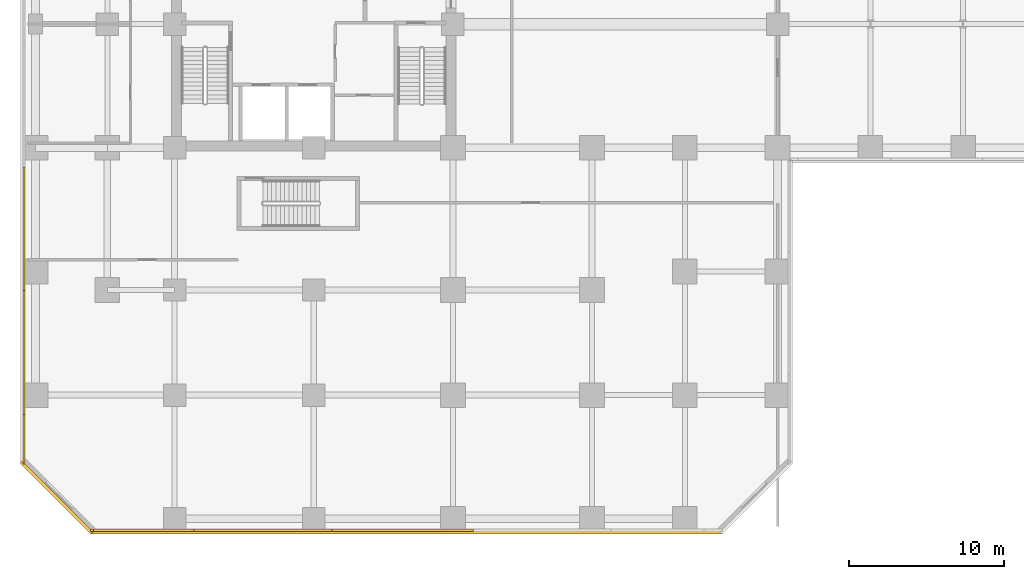
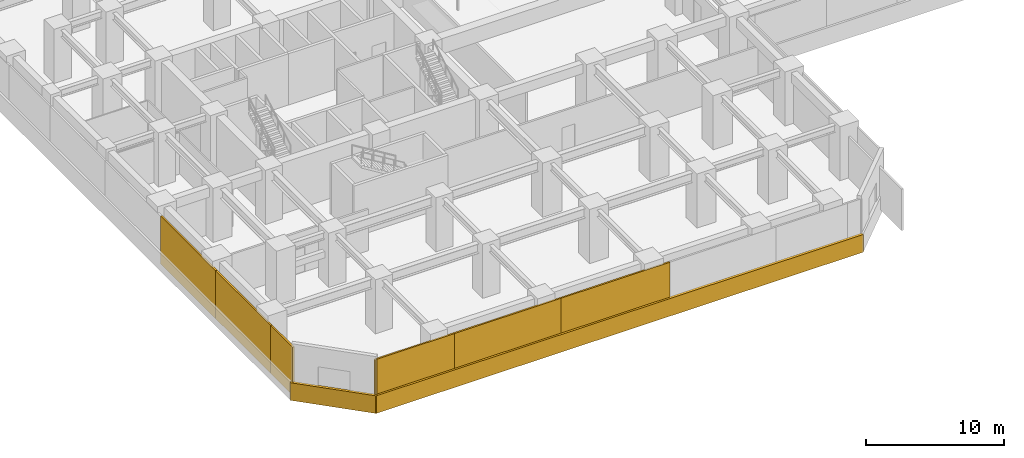
# One storey, part 6 of 12: 9 coverings.
"""IFC4 building model written with IfcOpenShell, lengths in metres."""

from ifc_helpers import new_model, si_unit, direction, frame, origin, origin_2d, place, context, subcontext, project, spatial, rectangle, extrude, source, transform, mapped, material, layer, layer_set, type_object, element, save


model = new_model("IFC4")

# Units and contexts
model_context = context("Model", 3, precision=1e-05, world=origin(), true_north=direction((0.0, 1.0)))
body_context = subcontext(model_context, "Body", "Model", "MODEL_VIEW")
ifc_project = project(units=[si_unit("LENGTHUNIT", "METRE"), si_unit("AREAUNIT", "SQUARE_METRE"), si_unit("VOLUMEUNIT", "CUBIC_METRE"), si_unit("PLANEANGLEUNIT", "RADIAN"), si_unit("MASSUNIT", "GRAM", prefix="KILO")], contexts=[model_context])

# Site, building, storey
site_placement = place(None, origin())
site = spatial("IfcSite", under=ifc_project, at=site_placement, CompositionType="ELEMENT")
building_placement = place(site_placement, origin())
building = spatial("IfcBuilding", under=site, at=building_placement, Name="Torre Montelarca", CompositionType="ELEMENT")
storey_placement = place(building_placement, frame((0.0, 0.0, 17.39990234375)))
storey = spatial("IfcBuildingStorey", under=building, at=storey_placement, Name="L04", CompositionType="ELEMENT", Elevation=17.39990234375)

# Coverings
ifc_material = material(Name="Bush-hammered warm white precast concrete C45/55", Category="concrete")
ifc_layer = layer(ifc_material, 0.139892578125, Name="Bush-hammered warm white precast concrete C45/55", Category="concrete")
ifc_layer_set = layer_set([ifc_layer], Name="Bush-hammered warm white precast concrete C45/55")
covering_type = type_object("IfcCoveringType", Name="COV-TRAY-CLAD", PredefinedType="CLADDING", material=ifc_layer_set)
shared_shape_1 = source(origin(), body_context, "Body", "SweptSolid", [
    extrude(rectangle(XDim=40.919921875, YDim=0.219970703125, at=origin_2d()), origin(), (0.0, 0.0, 1.0), 1.56005859375),
])
covering_1_placement = place(storey_placement, frame((24.0, -0.8701171875, -0.39990234375), z_axis=(0.0, 0.0, 1.0), x_axis=(1.0, 0.0, 0.0)))
element("IfcCovering", 1, at=covering_1_placement, inside=storey, type_object=covering_type, Name="L04 Architectural White Spandrel Tray Band PODBOT-01", PredefinedType="CLADDING", context=body_context, shape_type="MappedRepresentation", body=[
    mapped(shared_shape_1, transform((0.0, 0.0, 0.0), scale=1.0)),
])
shared_shape_2 = source(origin(), body_context, "Body", "SweptSolid", [
    extrude(rectangle(XDim=6.48388671875, YDim=0.219970703125, at=origin_2d()), origin(), (0.0, 0.0, 1.0), 1.56005859375),
])
covering_2_placement = place(storey_placement, frame((1.37109375, 1.37109375, -0.39990234375), z_axis=(0.0, 0.0, 1.0), x_axis=(0.707106781187, -0.707106781187, 0.0)))
element("IfcCovering", 2, at=covering_2_placement, inside=storey, type_object=covering_type, Name="L04 Architectural White Spandrel Tray Band PODBOT-11", PredefinedType="CLADDING", context=body_context, shape_type="MappedRepresentation", body=[
    mapped(shared_shape_2, transform((0.0, 0.0, 0.0), scale=1.0)),
])
shared_shape_3 = source(origin(), body_context, "Body", "SweptSolid", [
    extrude(rectangle(XDim=0.179931640625, YDim=0.139892578125, at=origin_2d()), origin(), (0.0, 0.0, 1.0), 4.25),
])
covering_3_placement = place(storey_placement, frame((3.64990234375, -0.739990234375, 0.0), z_axis=(0.0, 0.0, 1.0), x_axis=(1.0, 0.0, 0.0)))
element("IfcCovering", 3, at=covering_3_placement, inside=storey, type_object=covering_type, Name="L04 Architectural Column Pier Cladding E01-1", PredefinedType="CLADDING", context=body_context, shape_type="MappedRepresentation", body=[
    mapped(shared_shape_3, transform((0.0, 0.0, 0.0), scale=1.0)),
])
shared_shape_4 = source(origin(), body_context, "Body", "SweptSolid", [
    extrude(rectangle(XDim=6.5849609375, YDim=0.139892578125, at=origin_2d()), origin(), (0.0, 0.0, 1.0), 4.25),
])
covering_4_placement = place(storey_placement, frame((6.952392578125, -0.739990234375, 0.0), z_axis=(0.0, 0.0, 1.0), x_axis=(1.0, 0.0, 0.0)))
element("IfcCovering", 4, at=covering_4_placement, inside=storey, type_object=covering_type, Name="L04 Architectural Column Pier Cladding E01-2", PredefinedType="CLADDING", context=body_context, shape_type="MappedRepresentation", body=[
    mapped(shared_shape_4, transform((0.0, 0.0, 0.0), scale=1.0)),
])
shared_shape_5 = source(origin(), body_context, "Body", "SweptSolid", [
    extrude(rectangle(XDim=9.080078125, YDim=0.139892578125, at=origin_2d()), origin(), (0.0, 0.0, 1.0), 4.25),
])
covering_5_placement = place(storey_placement, frame((14.705078125, -0.739990234375, 0.0), z_axis=(0.0, 0.0, 1.0), x_axis=(1.0, 0.0, 0.0)))
element("IfcCovering", 5, at=covering_5_placement, inside=storey, type_object=covering_type, Name="L04 Architectural Column Pier Cladding E01-3", PredefinedType="CLADDING", context=body_context, shape_type="MappedRepresentation", body=[
    mapped(shared_shape_5, transform((0.0, 0.0, 0.0), scale=1.0)),
])
shared_shape_6 = source(origin(), body_context, "Body", "SweptSolid", [
    extrude(rectangle(XDim=9.155029296875, YDim=0.139892578125, at=origin_2d()), origin(), (0.0, 0.0, 1.0), 4.25),
])
covering_6_placement = place(storey_placement, frame((23.742431640625, -0.739990234375, 0.0), z_axis=(0.0, 0.0, 1.0), x_axis=(1.0, 0.0, 0.0)))
element("IfcCovering", 6, at=covering_6_placement, inside=storey, type_object=covering_type, Name="L04 Architectural Column Pier Cladding E01-4", PredefinedType="CLADDING", context=body_context, shape_type="MappedRepresentation", body=[
    mapped(shared_shape_6, transform((0.0, 0.0, 0.0), scale=1.0)),
])
shared_shape_7 = source(origin(), body_context, "Body", "SweptSolid", [
    extrude(rectangle(XDim=8.080078125, YDim=0.139892578125, at=origin_2d()), origin(), (0.0, 0.0, 1.0), 4.25),
])
for number, where, z_axis, x_axis, name in (
    (7, (-0.739990234375, 18.719970703125, 0.0), (0.0, 0.0, 1.0), (0.0, -1.0, 0.0), "L04 Architectural Column Pier Cladding E10-6"),
    (8, (-0.739990234375, 10.719970703125, 0.0), (0.0, 0.0, 1.0), (0.0, -1.0, 0.0), "L04 Architectural Column Pier Cladding E10-7"),
):
    element("IfcCovering", number, at=place(storey_placement, frame(where, z_axis=z_axis, x_axis=x_axis)), inside=storey, type_object=covering_type, Name=name, PredefinedType="CLADDING", context=body_context, shape_type="MappedRepresentation", body=[
        mapped(shared_shape_7, transform((0.0, 0.0, 0.0), scale=1.0)),
    ])
shared_shape_8 = source(origin(), body_context, "Body", "SweptSolid", [
    extrude(rectangle(XDim=3.199951171875, YDim=0.139892578125, at=origin_2d()), origin(), (0.0, 0.0, 1.0), 4.25),
])
covering_7_placement = place(storey_placement, frame((-0.739990234375, 5.159912109375, 0.0), z_axis=(0.0, 0.0, 1.0), x_axis=(0.0, -1.0, 0.0)))
element("IfcCovering", 9, at=covering_7_placement, inside=storey, type_object=covering_type, Name="L04 Architectural Column Pier Cladding E10-8", PredefinedType="CLADDING", context=body_context, shape_type="MappedRepresentation", body=[
    mapped(shared_shape_8, transform((0.0, 0.0, 0.0), scale=1.0)),
])

save(model, "model.ifc")
